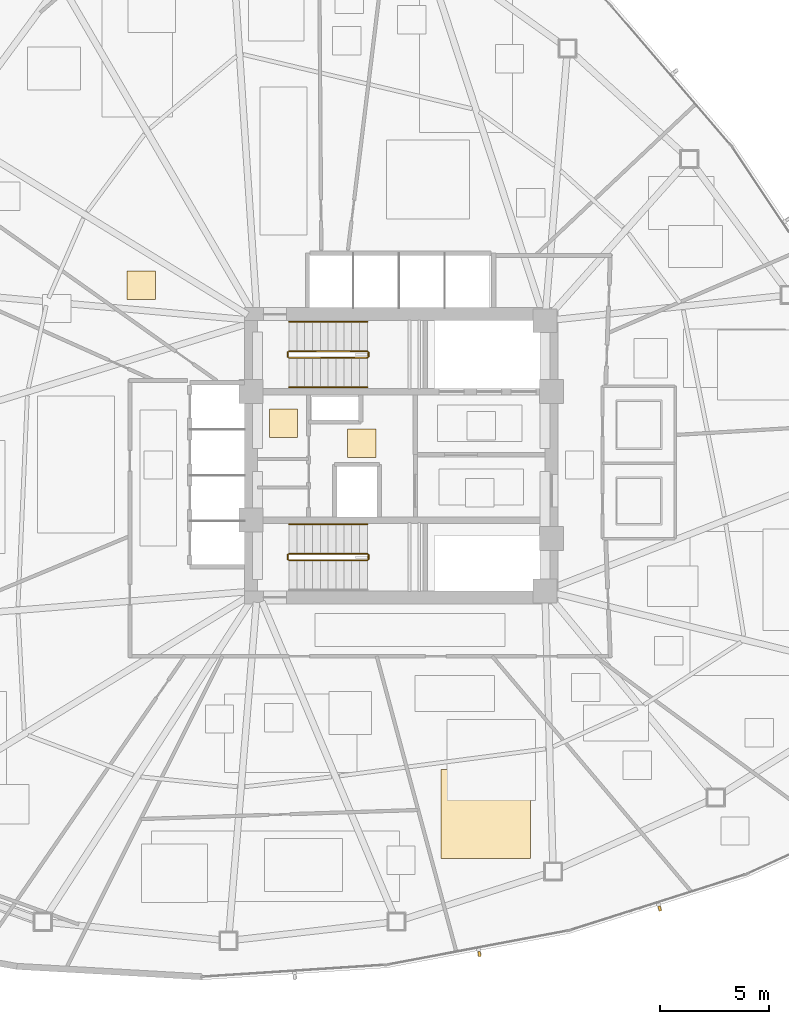
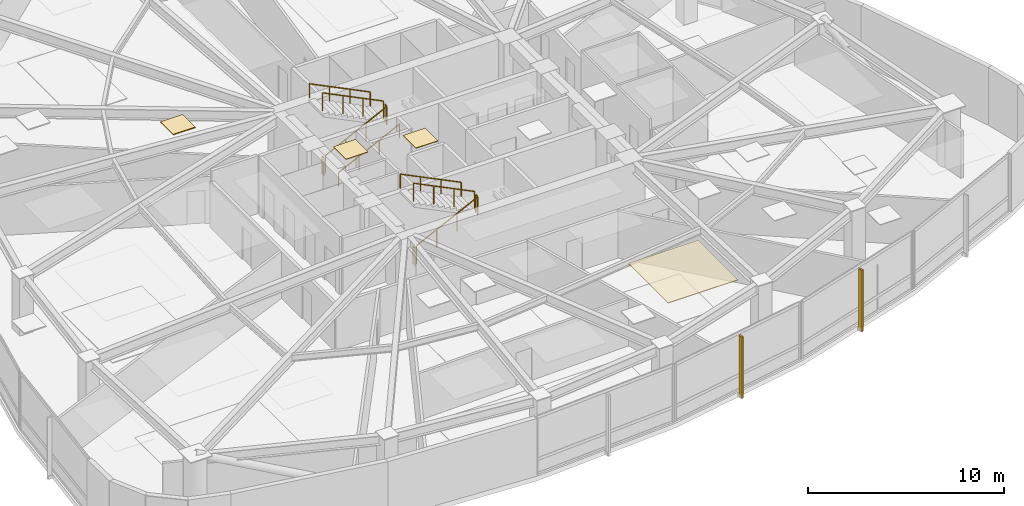
# One storey, part 16 of 18: 11 railings, 4 coverings, 2 shading devices.
"""IFC4 building model written with IfcOpenShell, lengths in metres."""

import ifcopenshell
import ifcopenshell.guid

model = None  # the IFC model being written
_history = None  # IfcOwnerHistory: only IFC2X3 demands one
_inside = {}  # id of a spatial element -> (the spatial element, [elements in it])
_under = {}  # id of a project, library or spatial element -> (it, [spatial elements below it])
_declared = {}  # id of a project -> (the project, [libraries it declares])
_typed = {}  # id of a type object -> (the type object, [elements of that type])
_made_of = {}  # id of a material, layer set ... -> (it, [elements and type objects made of it])


def new_model(schema):
    """Start an empty IFC model of exactly this schema.

    Asked for "IFC4X3", IfcOpenShell would pick the latest addendum, in which some entities
    have other attributes; the version numbers below select the first issue.
    IFC2X3 requires an IfcOwnerHistory on every rooted entity: one is made here for all.
    """
    global model, _history
    if schema == "IFC4X3":
        model = ifcopenshell.file(schema_version=(4, 3, 0, 0))
    else:
        model = ifcopenshell.file(schema=schema)
    _inside.clear()
    _under.clear()
    _declared.clear()
    _typed.clear()
    _made_of.clear()
    _history = None
    if model.schema == "IFC2X3":
        org = make("IfcOrganization", Name="unknown")
        user = make(
            "IfcPersonAndOrganization",
            ThePerson=make("IfcPerson", FamilyName="unknown"),
            TheOrganization=org,
        )
        app = make(
            "IfcApplication",
            ApplicationDeveloper=org,
            Version="unknown",
            ApplicationFullName="unknown",
            ApplicationIdentifier="unknown",
        )
        _history = make(
            "IfcOwnerHistory",
            OwningUser=user,
            OwningApplication=app,
            ChangeAction="ADDED",
            CreationDate=0,
        )
    return model


def make(cls, **values):
    """One entity of the class cls with the attributes given. An attribute that is None is left unset."""
    return model.create_entity(
        cls, **{name: value for name, value in values.items() if value is not None}
    )


def rooted(cls, **values):
    """An entity with a GlobalId (a new one), such as an element, a storey or a relation."""
    return make(cls, GlobalId=ifcopenshell.guid.new(), OwnerHistory=_history, **values)


def si_unit(unit_type, name, prefix=None):
    """IfcSIUnit, for example si_unit("LENGTHUNIT", "METRE", prefix="MILLI")."""
    return make("IfcSIUnit", UnitType=unit_type, Prefix=prefix, Name=name)


def assignment(units):
    """IfcUnitAssignment: the units of a project."""
    return None if units is None else make("IfcUnitAssignment", Units=units)


def point(xyz):
    """IfcCartesianPoint."""
    return None if xyz is None else make("IfcCartesianPoint", Coordinates=xyz)


def direction(xyz):
    """IfcDirection."""
    return None if xyz is None else make("IfcDirection", DirectionRatios=xyz)


def frame(location, z_axis=None, x_axis=None):
    """IfcAxis2Placement3D, a coordinate frame: its origin and axes. An axis left out is left unset."""
    return make(
        "IfcAxis2Placement3D",
        Location=point(location),
        Axis=direction(z_axis),
        RefDirection=direction(x_axis),
    )


def frame_2d(location, x_axis=None):
    """IfcAxis2Placement2D, a coordinate frame in the plane: its origin and x axis."""
    return make(
        "IfcAxis2Placement2D", Location=point(location), RefDirection=direction(x_axis)
    )


def origin():
    """The frame at (0, 0, 0) with its axes left unset."""
    return frame((0.0, 0.0, 0.0))


def origin_2d():
    """The frame at (0, 0) in the plane with its x axis left unset."""
    return frame_2d((0.0, 0.0))


def place(relative_to, where):
    """IfcLocalPlacement: puts the frame where relative to a parent placement (None: the world)."""
    return make(
        "IfcLocalPlacement", PlacementRelTo=relative_to, RelativePlacement=where
    )


def context(
    kind, dimensions, precision=None, world=None, true_north=None, identifier=None
):
    """IfcGeometricRepresentationContext, for example the 3D "Model" context."""
    return make(
        "IfcGeometricRepresentationContext",
        ContextIdentifier=identifier,
        ContextType=kind,
        CoordinateSpaceDimension=dimensions,
        Precision=precision,
        WorldCoordinateSystem=world,
        TrueNorth=true_north,
    )


def subcontext(parent, identifier, kind, view, scale=None):
    """IfcGeometricRepresentationSubContext, for example "Body" below "Model"."""
    return make(
        "IfcGeometricRepresentationSubContext",
        ContextIdentifier=identifier,
        ContextType=kind,
        ParentContext=parent,
        TargetScale=scale,
        TargetView=view,
    )


def project(units=None, contexts=None):
    """IfcProject with its units and contexts."""
    return rooted(
        "IfcProject",
        Name="project",
        RepresentationContexts=contexts,
        UnitsInContext=assignment(units),
    )


def spatial(cls, under=None, at=None, **own):
    """A site, building, storey or space (cls), placed at a placement, below another one or the project."""
    s = rooted(cls, ObjectPlacement=at, **own)
    if under is not None:
        _under.setdefault(under.id(), (under, []))[1].append(s)
    return s


def polyline(points):
    """IfcPolyline through the points."""
    return make("IfcPolyline", Points=[point(p) for p in points])


def profile(cls, at=None, kind="AREA", **sizes):
    """A parametric profile (cls). Its sizes go by their IFC names, for example OverallWidth=200.0."""
    return make(cls, ProfileType=kind, Position=at, **sizes)


def rectangle(**sizes):
    """IfcRectangleProfileDef."""
    return profile("IfcRectangleProfileDef", **sizes)


def outline(outer, holes=None, kind="AREA"):
    """IfcArbitraryClosedProfileDef: a profile drawn as a closed curve; with holes, ...WithVoids."""
    if holes is None:
        return make("IfcArbitraryClosedProfileDef", ProfileType=kind, OuterCurve=outer)
    return make(
        "IfcArbitraryProfileDefWithVoids",
        ProfileType=kind,
        OuterCurve=outer,
        InnerCurves=holes,
    )


def extrude(swept, where, along, depth):
    """IfcExtrudedAreaSolid: the profile swept, set in the frame where, extruded along a direction by depth."""
    return make(
        "IfcExtrudedAreaSolid",
        SweptArea=swept,
        Position=where,
        ExtrudedDirection=direction(along),
        Depth=depth,
    )


def shape(context_of_items, identifier, shape_type, items):
    """IfcShapeRepresentation: the items that make up one representation, for example the "Body"."""
    return make(
        "IfcShapeRepresentation",
        ContextOfItems=context_of_items,
        RepresentationIdentifier=identifier,
        RepresentationType=shape_type,
        Items=items,
    )


def source(mapping_origin, context_of_items, identifier, shape_type, items):
    """IfcRepresentationMap: a shape defined once, which mapped items show again and again."""
    return make(
        "IfcRepresentationMap",
        MappingOrigin=mapping_origin,
        MappedRepresentation=shape(context_of_items, identifier, shape_type, items),
    )


def transform(
    local_origin,
    x_axis=None,
    y_axis=None,
    z_axis=None,
    scale=None,
    scale2=None,
    scale3=None,
    uniform=True,
):
    """IfcCartesianTransformationOperator3D, or its non-uniform kind. x_axis, y_axis, z_axis: its Axis1, 2, 3."""
    if uniform:
        return make(
            "IfcCartesianTransformationOperator3D",
            Axis1=direction(x_axis),
            Axis2=direction(y_axis),
            LocalOrigin=point(local_origin),
            Scale=scale,
            Axis3=direction(z_axis),
        )
    return make(
        "IfcCartesianTransformationOperator3DnonUniform",
        Axis1=direction(x_axis),
        Axis2=direction(y_axis),
        LocalOrigin=point(local_origin),
        Scale=scale,
        Axis3=direction(z_axis),
        Scale2=scale2,
        Scale3=scale3,
    )


def mapped(mapping_source, mapping_target):
    """IfcMappedItem: shows the shape of a source again, moved by a transform."""
    return make(
        "IfcMappedItem", MappingSource=mapping_source, MappingTarget=mapping_target
    )


def material(Name=None, Category=None):
    """IfcMaterial."""
    return make("IfcMaterial", Name=Name, Category=Category)


def layer(
    of_material, thickness, ventilated=None, Name=None, Category=None, Priority=None
):
    """IfcMaterialLayer: one layer of a wall or slab, of a material (None: an air gap)."""
    return make(
        "IfcMaterialLayer",
        Material=of_material,
        LayerThickness=thickness,
        IsVentilated=ventilated,
        Name=Name,
        Category=Category,
        Priority=Priority,
    )


def layer_set(layers, Name=None):
    """IfcMaterialLayerSet."""
    return make("IfcMaterialLayerSet", MaterialLayers=layers, LayerSetName=Name)


def made_of(thing, what):
    """Note that an element or type object is made of a material, layer set ...; save() writes the relation."""
    if what is not None:
        _made_of.setdefault(what.id(), (what, []))[1].append(thing)
    return thing


def type_object(cls, material=None, **own):
    """A type object (cls), such as IfcWallType, which elements share."""
    return made_of(rooted(cls, **own), material)


def type_shapes(of_type, sources):
    """Give a type object the sources (RepresentationMaps) that its elements show as mapped items."""
    of_type.RepresentationMaps = sources


def element(
    cls,
    number,
    at=None,
    inside=None,
    cuts=None,
    type_object=None,
    material=None,
    context=None,
    identifier="Body",
    shape_type=None,
    held_by="IfcProductDefinitionShape",
    body=None,
    shapes=None,
    **own,
):
    """One element of the class cls, such as IfcWall. Its Tag is "e" and its number.

    at: its placement. inside: the storey or other place that contains it. cuts: it is an
    opening in that element (IfcRelVoidsElement). A single representation is given by context,
    identifier, shape_type and body (its items); several are given by shapes. held_by: the class
    of the entity that holds the representations. save() writes the other relations.
    """
    e = rooted(cls, Tag="e%d" % number, ObjectPlacement=at, **own)
    if body is not None:
        shapes = [shape(context, identifier, shape_type, body)]
    if shapes is not None:
        e.Representation = make(held_by, Representations=shapes)
    if inside is not None:
        _inside.setdefault(inside.id(), (inside, []))[1].append(e)
    if cuts is not None:
        rooted(
            "IfcRelVoidsElement", RelatingBuildingElement=cuts, RelatedOpeningElement=e
        )
    if type_object is not None:
        _typed.setdefault(type_object.id(), (type_object, []))[1].append(e)
    return made_of(e, material)


def aggregate(whole, parts):
    """IfcRelAggregates: a whole, such as a stair, and the parts it consists of."""
    return rooted("IfcRelAggregates", RelatingObject=whole, RelatedObjects=parts)


def save(model, path):
    """Write the relations noted so far, then the file.

    IfcRelAggregates (storeys below a building ...), IfcRelContainedInSpatialStructure (elements
    in a storey), IfcRelDefinesByType, IfcRelAssociatesMaterial and IfcRelDeclares: one each for
    every whole, place, type object, material and project.
    """
    for whole, parts in _under.values():
        aggregate(whole, parts)
    for where, things in _inside.values():
        rooted(
            "IfcRelContainedInSpatialStructure",
            RelatedElements=things,
            RelatingStructure=where,
        )
    for kind, things in _typed.values():
        rooted("IfcRelDefinesByType", RelatedObjects=things, RelatingType=kind)
    for what, things in _made_of.values():
        rooted("IfcRelAssociatesMaterial", RelatedObjects=things, RelatingMaterial=what)
    for by, libraries in _declared.values():
        rooted("IfcRelDeclares", RelatingContext=by, RelatedDefinitions=libraries)
    model.write(path)


model = new_model("IFC4")

# Units and contexts
model_context = context("Model", 3, precision=1e-05, world=origin(), true_north=direction((0.0, 1.0)))
body_context = subcontext(model_context, "Body", "Model", "MODEL_VIEW")
ifc_project = project(units=[si_unit("LENGTHUNIT", "METRE"), si_unit("AREAUNIT", "SQUARE_METRE"), si_unit("VOLUMEUNIT", "CUBIC_METRE"), si_unit("PLANEANGLEUNIT", "RADIAN"), si_unit("MASSUNIT", "GRAM", prefix="KILO")], contexts=[model_context])

# Site, building, storey
site_placement = place(None, origin())
site = spatial("IfcSite", under=ifc_project, at=site_placement, CompositionType="ELEMENT")
building_placement = place(site_placement, origin())
building = spatial("IfcBuilding", under=site, at=building_placement, Name="Tavelor Broadcast Tower", CompositionType="ELEMENT")
storey_placement = place(building_placement, frame((0.0, 0.0, 54.89990234375)))
storey = spatial("IfcBuildingStorey", under=building, at=storey_placement, Name="L12", CompositionType="ELEMENT", Elevation=54.89990234375)

# Railings
ifc_material_1 = material(Name="Steel S355", Category="steel")
railing_type_1 = type_object("IfcRailingType", Name="Continuous Brushed Stainless Handrail 900 mm", PredefinedType="HANDRAIL", material=ifc_material_1)
railing_1_placement = place(storey_placement, frame((44.85009765625, 48.14990234375, 0.177490234375)))
element("IfcRailing", 1, at=railing_1_placement, inside=storey, type_object=railing_type_1, Name="L12 ST1 stair handrail 1", PredefinedType="HANDRAIL", context=body_context, shape_type="SweptSolid", body=[
    extrude(rectangle(XDim=0.048095703125, YDim=0.048095703125, at=origin_2d()), frame((0.0, 0.0, 0.8759765625), z_axis=(0.897124305991, 0.0, 0.441778201817), x_axis=(0.0, 1.0, 0.0)), (0.0, 0.0, 1.0), 4.0126953125),
    extrude(rectangle(XDim=0.0419921875, YDim=0.0419921875, at=origin_2d()), origin(), (0.0, 0.0, 1.0), 0.851806640625),
    extrude(rectangle(XDim=0.0419921875, YDim=0.0419921875, at=origin_2d()), frame((1.199951171875, 0.0, 0.5908203125)), (0.0, 0.0, 1.0), 0.851806640625),
    extrude(rectangle(XDim=0.0419921875, YDim=0.0419921875, at=origin_2d()), frame((2.39990234375, 0.0, 1.181884765625)), (0.0, 0.0, 1.0), 0.851806640625),
    extrude(rectangle(XDim=0.0419921875, YDim=0.0419921875, at=origin_2d()), frame((3.599853515625, 0.0, 1.772705078125)), (0.0, 0.0, 1.0), 0.851806640625),
])
for number, where, name in (
    (2, (48.449951171875, 51.14990234375, 2.12744140625), "L12 ST1 stair handrail 2"),
    (3, (48.449951171875, 41.85009765625, 2.12744140625), "L12 ST2 stair handrail 2"),
):
    element("IfcRailing", number, at=place(storey_placement, frame(where)), inside=storey, type_object=railing_type_1, Name=name, PredefinedType="HANDRAIL", context=body_context, shape_type="SweptSolid", body=[
        extrude(rectangle(XDim=0.048095703125, YDim=0.048095703125, at=origin_2d()), frame((0.0, 0.0, 0.8759765625), z_axis=(-0.897124305991, 0.0, 0.441778201817), x_axis=(0.0, -1.0, 0.0)), (0.0, 0.0, 1.0), 4.0126953125),
        extrude(rectangle(XDim=0.0419921875, YDim=0.0419921875, at=origin_2d()), origin(), (0.0, 0.0, 1.0), 0.851806640625),
        extrude(rectangle(XDim=0.0419921875, YDim=0.0419921875, at=origin_2d()), frame((-1.199951171875, 0.0, 0.5908203125)), (0.0, 0.0, 1.0), 0.851806640625),
        extrude(rectangle(XDim=0.0419921875, YDim=0.0419921875, at=origin_2d()), frame((-2.39990234375, 0.0, 1.181884765625)), (0.0, 0.0, 1.0), 0.851806640625),
        extrude(rectangle(XDim=0.0419921875, YDim=0.0419921875, at=origin_2d()), frame((-3.599853515625, 0.0, 1.772705078125)), (0.0, 0.0, 1.0), 0.851806640625),
    ])

# Coverings
ifc_material_2 = material(Name="Acoustic Perforated Timber Baffle", Category="wood")
ifc_layer_1 = layer(ifc_material_2, 0.054931640625)
ifc_layer_set_1 = layer_set([ifc_layer_1], Name="Acoustic Perforated Timber Baffle")
covering_type_1 = type_object("IfcCoveringType", Name="Micro-Perforated Acoustic Baffle Studio Ceiling 55 mm", PredefinedType="CEILING", material=ifc_layer_set_1)
covering_1_placement = place(storey_placement, frame((0.0, 0.0, 3.545166015625)))
element("IfcCovering", 4, at=covering_1_placement, inside=storey, type_object=covering_type_1, Name="L12 Suspended Acoustic Ceiling 0465", PredefinedType="CEILING", context=body_context, shape_type="SweptSolid", body=[
    extrude(outline(polyline([(37.4130859375, 52.178955078125), (38.712890625, 52.178955078125), (38.712890625, 53.47900390625), (37.4130859375, 53.47900390625), (37.4130859375, 52.178955078125)])), origin(), (0.0, 0.0, 1.0), 0.054931640625),
])
ifc_material_3 = material(Name="Architectural Anodized Aluminium", Category="aluminium")
ifc_layer_2 = layer(ifc_material_3, 0.030029296875)
ifc_layer_set_2 = layer_set([ifc_layer_2], Name="Architectural Anodized Aluminium")
covering_type_2 = type_object("IfcCoveringType", Name="Moisture-Resistant Washroom Ceiling 30 mm", PredefinedType="CEILING", material=ifc_layer_set_2)
covering_2_placement = place(storey_placement, frame((0.0, 0.0, 3.570068359375)))
element("IfcCovering", 5, at=covering_2_placement, inside=storey, type_object=covering_type_2, Name="L12 Suspended Acoustic Ceiling 0443", PredefinedType="CEILING", context=body_context, shape_type="SweptSolid", body=[
    extrude(outline(polyline([(43.951416015625, 45.843017578125), (45.25146484375, 45.843017578125), (45.25146484375, 47.14306640625), (43.951416015625, 47.14306640625), (43.951416015625, 45.843017578125)])), origin(), (0.0, 0.0, 1.0), 0.030029296875),
])

# Railings
railing_type_2 = type_object("IfcRailingType", Name="Stairwell Steel Safety Guardrail 1150 mm", PredefinedType="GUARDRAIL", material=ifc_material_1)
railing_2_placement = place(storey_placement, frame((44.85009765625, 49.5, 0.177490234375)))
element("IfcRailing", 6, at=railing_2_placement, inside=storey, type_object=railing_type_2, Name="L12 ST1 stair guard 1", PredefinedType="GUARDRAIL", context=body_context, shape_type="SweptSolid", body=[
    extrude(rectangle(XDim=0.048095703125, YDim=0.048095703125, at=origin_2d()), frame((0.0, 0.0, 1.1259765625), z_axis=(0.897124305991, 0.0, 0.441778201817), x_axis=(0.0, 1.0, 0.0)), (0.0, 0.0, 1.0), 4.0126953125),
    extrude(rectangle(XDim=0.0419921875, YDim=0.0419921875, at=origin_2d()), origin(), (0.0, 0.0, 1.0), 1.101806640625),
    extrude(rectangle(XDim=0.0419921875, YDim=0.0419921875, at=origin_2d()), frame((1.199951171875, 0.0, 0.5908203125)), (0.0, 0.0, 1.0), 1.101806640625),
    extrude(rectangle(XDim=0.0419921875, YDim=0.0419921875, at=origin_2d()), frame((2.39990234375, 0.0, 1.181884765625)), (0.0, 0.0, 1.0), 1.101806640625),
    extrude(rectangle(XDim=0.0419921875, YDim=0.0419921875, at=origin_2d()), frame((3.599853515625, 0.0, 1.772705078125)), (0.0, 0.0, 1.0), 1.101806640625),
])
railing_3_placement = place(storey_placement, frame((48.5, 49.550048828125, 1.9501953125)))
element("IfcRailing", 7, at=railing_3_placement, inside=storey, type_object=railing_type_2, Name="L12 ST1 stair guard 2", PredefinedType="GUARDRAIL", context=body_context, shape_type="SweptSolid", body=[
    extrude(rectangle(XDim=0.048095703125, YDim=0.048095703125, at=origin_2d()), frame((0.0, 0.0, 1.1259765625), z_axis=(0.0, 1.0, 0.0), x_axis=(-1.0, 0.0, 0.0)), (0.0, 0.0, 1.0), 0.199951171875),
    extrude(rectangle(XDim=0.0419921875, YDim=0.0419921875, at=origin_2d()), origin(), (0.0, 0.0, 1.0), 1.101806640625),
    extrude(rectangle(XDim=0.0419921875, YDim=0.0419921875, at=origin_2d()), frame((0.0, 0.199951171875, 0.0)), (0.0, 0.0, 1.0), 1.101806640625),
])
railing_4_placement = place(storey_placement, frame((48.449951171875, 49.800048828125, 2.12744140625)))
element("IfcRailing", 8, at=railing_4_placement, inside=storey, type_object=railing_type_2, Name="L12 ST1 stair guard 3", PredefinedType="GUARDRAIL", context=body_context, shape_type="SweptSolid", body=[
    extrude(rectangle(XDim=0.048095703125, YDim=0.048095703125, at=origin_2d()), frame((0.0, 0.0, 1.1259765625), z_axis=(-0.897124305991, 0.0, 0.441778201817), x_axis=(0.0, -1.0, 0.0)), (0.0, 0.0, 1.0), 4.0126953125),
    extrude(rectangle(XDim=0.0419921875, YDim=0.0419921875, at=origin_2d()), origin(), (0.0, 0.0, 1.0), 1.101806640625),
    extrude(rectangle(XDim=0.0419921875, YDim=0.0419921875, at=origin_2d()), frame((-1.199951171875, 0.0, 0.5908203125)), (0.0, 0.0, 1.0), 1.101806640625),
    extrude(rectangle(XDim=0.0419921875, YDim=0.0419921875, at=origin_2d()), frame((-2.39990234375, 0.0, 1.181884765625)), (0.0, 0.0, 1.0), 1.101806640625),
    extrude(rectangle(XDim=0.0419921875, YDim=0.0419921875, at=origin_2d()), frame((-3.599853515625, 0.0, 1.772705078125)), (0.0, 0.0, 1.0), 1.101806640625),
])
railing_5_placement = place(storey_placement, frame((44.800048828125, 49.550048828125, 0.0)))
element("IfcRailing", 9, at=railing_5_placement, inside=storey, type_object=railing_type_2, Name="L12 ST1 stair guard 4", PredefinedType="GUARDRAIL", context=body_context, shape_type="SweptSolid", body=[
    extrude(rectangle(XDim=0.048095703125, YDim=0.048095703125, at=origin_2d()), frame((0.0, 0.0, 1.1259765625), z_axis=(0.0, 1.0, 0.0), x_axis=(-1.0, 0.0, 0.0)), (0.0, 0.0, 1.0), 0.199951171875),
    extrude(rectangle(XDim=0.0419921875, YDim=0.0419921875, at=origin_2d()), origin(), (0.0, 0.0, 1.0), 1.101806640625),
    extrude(rectangle(XDim=0.0419921875, YDim=0.0419921875, at=origin_2d()), frame((0.0, 0.199951171875, 0.0)), (0.0, 0.0, 1.0), 1.101806640625),
])
railing_6_placement = place(storey_placement, frame((44.85009765625, 40.199951171875, 0.177490234375)))
element("IfcRailing", 10, at=railing_6_placement, inside=storey, type_object=railing_type_2, Name="L12 ST2 stair guard 1", PredefinedType="GUARDRAIL", context=body_context, shape_type="SweptSolid", body=[
    extrude(rectangle(XDim=0.048095703125, YDim=0.048095703125, at=origin_2d()), frame((0.0, 0.0, 1.1259765625), z_axis=(0.897124305991, 0.0, 0.441778201817), x_axis=(0.0, 1.0, 0.0)), (0.0, 0.0, 1.0), 4.0126953125),
    extrude(rectangle(XDim=0.0419921875, YDim=0.0419921875, at=origin_2d()), origin(), (0.0, 0.0, 1.0), 1.101806640625),
    extrude(rectangle(XDim=0.0419921875, YDim=0.0419921875, at=origin_2d()), frame((1.199951171875, 0.0, 0.5908203125)), (0.0, 0.0, 1.0), 1.101806640625),
    extrude(rectangle(XDim=0.0419921875, YDim=0.0419921875, at=origin_2d()), frame((2.39990234375, 0.0, 1.181884765625)), (0.0, 0.0, 1.0), 1.101806640625),
    extrude(rectangle(XDim=0.0419921875, YDim=0.0419921875, at=origin_2d()), frame((3.599853515625, 0.0, 1.772705078125)), (0.0, 0.0, 1.0), 1.101806640625),
])
railing_7_placement = place(storey_placement, frame((48.5, 40.25, 1.9501953125)))
element("IfcRailing", 11, at=railing_7_placement, inside=storey, type_object=railing_type_2, Name="L12 ST2 stair guard 2", PredefinedType="GUARDRAIL", context=body_context, shape_type="SweptSolid", body=[
    extrude(rectangle(XDim=0.048095703125, YDim=0.048095703125, at=origin_2d()), frame((0.0, 0.0, 1.1259765625), z_axis=(0.0, 1.0, 0.0), x_axis=(-1.0, 0.0, 0.0)), (0.0, 0.0, 1.0), 0.199951171875),
    extrude(rectangle(XDim=0.0419921875, YDim=0.0419921875, at=origin_2d()), origin(), (0.0, 0.0, 1.0), 1.101806640625),
    extrude(rectangle(XDim=0.0419921875, YDim=0.0419921875, at=origin_2d()), frame((0.0, 0.199951171875, 0.0)), (0.0, 0.0, 1.0), 1.101806640625),
])
railing_8_placement = place(storey_placement, frame((48.449951171875, 40.5, 2.12744140625)))
element("IfcRailing", 12, at=railing_8_placement, inside=storey, type_object=railing_type_2, Name="L12 ST2 stair guard 3", PredefinedType="GUARDRAIL", context=body_context, shape_type="SweptSolid", body=[
    extrude(rectangle(XDim=0.048095703125, YDim=0.048095703125, at=origin_2d()), frame((0.0, 0.0, 1.1259765625), z_axis=(-0.897124305991, 0.0, 0.441778201817), x_axis=(0.0, -1.0, 0.0)), (0.0, 0.0, 1.0), 4.0126953125),
    extrude(rectangle(XDim=0.0419921875, YDim=0.0419921875, at=origin_2d()), origin(), (0.0, 0.0, 1.0), 1.101806640625),
    extrude(rectangle(XDim=0.0419921875, YDim=0.0419921875, at=origin_2d()), frame((-1.199951171875, 0.0, 0.5908203125)), (0.0, 0.0, 1.0), 1.101806640625),
    extrude(rectangle(XDim=0.0419921875, YDim=0.0419921875, at=origin_2d()), frame((-2.39990234375, 0.0, 1.181884765625)), (0.0, 0.0, 1.0), 1.101806640625),
    extrude(rectangle(XDim=0.0419921875, YDim=0.0419921875, at=origin_2d()), frame((-3.599853515625, 0.0, 1.772705078125)), (0.0, 0.0, 1.0), 1.101806640625),
])
railing_9_placement = place(storey_placement, frame((44.800048828125, 40.25, 0.0)))
element("IfcRailing", 13, at=railing_9_placement, inside=storey, type_object=railing_type_2, Name="L12 ST2 stair guard 4", PredefinedType="GUARDRAIL", context=body_context, shape_type="SweptSolid", body=[
    extrude(rectangle(XDim=0.048095703125, YDim=0.048095703125, at=origin_2d()), frame((0.0, 0.0, 1.1259765625), z_axis=(0.0, 1.0, 0.0), x_axis=(-1.0, 0.0, 0.0)), (0.0, 0.0, 1.0), 0.199951171875),
    extrude(rectangle(XDim=0.0419921875, YDim=0.0419921875, at=origin_2d()), origin(), (0.0, 0.0, 1.0), 1.101806640625),
    extrude(rectangle(XDim=0.0419921875, YDim=0.0419921875, at=origin_2d()), frame((0.0, 0.199951171875, 0.0)), (0.0, 0.0, 1.0), 1.101806640625),
])

# Coverings
ifc_material_4 = material(Name="Acoustic Mineral Fibre Tile")
ifc_layer_3 = layer(ifc_material_4, 0.0400390625)
ifc_layer_set_3 = layer_set([ifc_layer_3], Name="Acoustic Mineral Fibre Tile")
covering_type_3 = type_object("IfcCoveringType", Name="Suspended Acoustic Mineral-Fibre Office Ceiling 40 mm", PredefinedType="CEILING", material=ifc_layer_set_3)
covering_3_placement = place(storey_placement, frame((0.0, 0.0, 3.56005859375)))
element("IfcCovering", 14, at=covering_3_placement, inside=storey, type_object=covering_type_3, Name="L12 Suspended Acoustic Ceiling 0442", PredefinedType="CEILING", context=body_context, shape_type="SweptSolid", body=[
    extrude(outline(polyline([(47.544921875, 44.919921875), (48.844970703125, 44.919921875), (48.844970703125, 46.219970703125), (47.544921875, 46.219970703125), (47.544921875, 44.919921875)])), origin(), (0.0, 0.0, 1.0), 0.0400390625),
])
covering_4_placement = place(storey_placement, frame((0.0, 0.0, 3.56005859375)))
element("IfcCovering", 15, at=covering_4_placement, inside=storey, type_object=covering_type_3, Name="L12 Suspended Acoustic Ceiling 0486", PredefinedType="CEILING", context=body_context, shape_type="SweptSolid", body=[
    extrude(outline(polyline([(51.8173828125, 26.51953125), (55.9453125, 26.51953125), (55.9453125, 30.599365234375), (51.8173828125, 30.599365234375), (51.8173828125, 26.51953125)])), origin(), (0.0, 0.0, 1.0), 0.0400390625),
])

# Shading devices
ifc_material_5 = material(Name="Kiln-Fired Glazed Terracotta", Category="masonry")
shading_device_type = type_object("IfcShadingDeviceType", Name="Extruded Terracotta Baguette Sun-Screen 110x240", PredefinedType="JALOUSIE", material=ifc_material_5)
shared_shape = source(origin(), body_context, "Body", "SweptSolid", [
    extrude(rectangle(XDim=0.110107421875, YDim=0.239990234375, at=origin_2d()), origin(), (0.0, 0.0, 1.0), 3.840087890625),
])
type_shapes(shading_device_type, [shared_shape])
for number, where, z_axis, x_axis, name in (
    (16, (53.59130859375, 22.131591796875, -0.259765625), (0.0, 0.0, 1.0), (0.982709876657, 0.185152095101, 0.0), "L12 Terracotta Baguette Fin 102"),
    (17, (61.869384765625, 24.21875, -0.259765625), (0.0, 0.0, 1.0), (0.953032216634, 0.302868938746, 0.0), "L12 Terracotta Baguette Fin 103"),
):
    element("IfcShadingDevice", number, at=place(storey_placement, frame(where, z_axis=z_axis, x_axis=x_axis)), inside=storey, type_object=shading_device_type, Name=name, PredefinedType="JALOUSIE", context=body_context, shape_type="MappedRepresentation", body=[
        mapped(shared_shape, transform((0.0, 0.0, 0.0), scale=1.0)),
    ])

save(model, "model.ifc")
